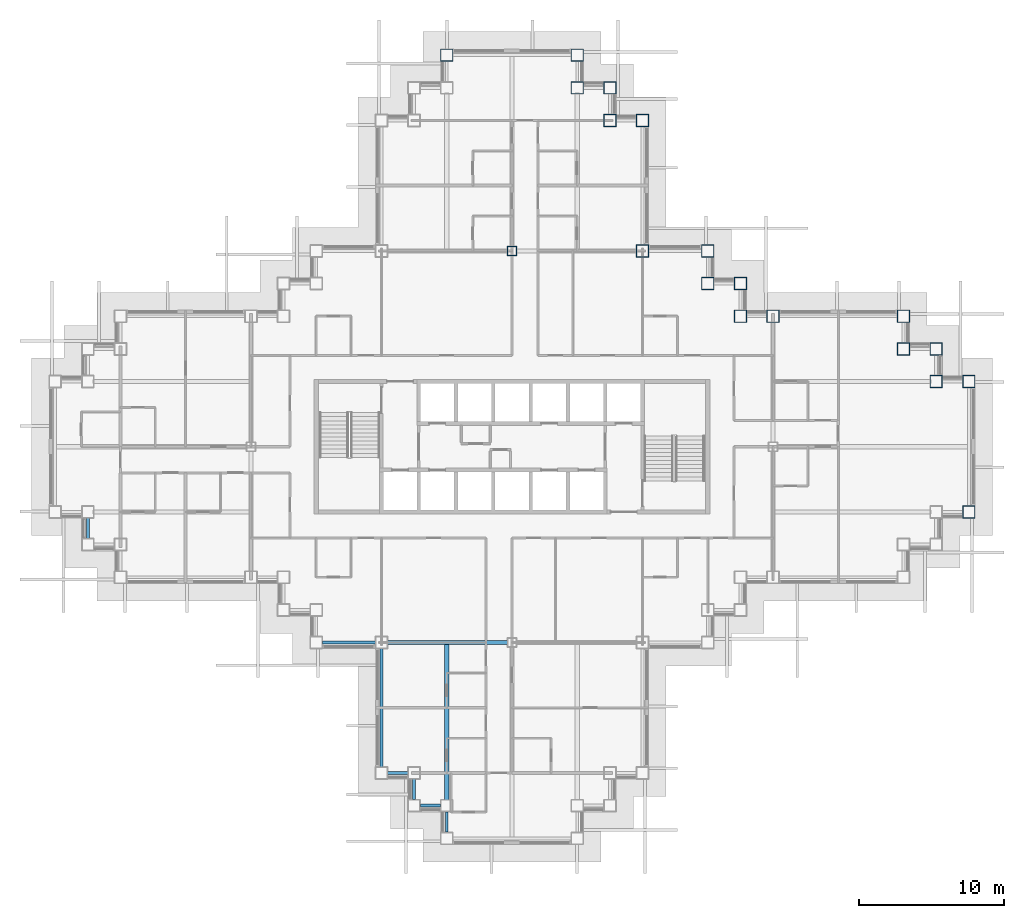
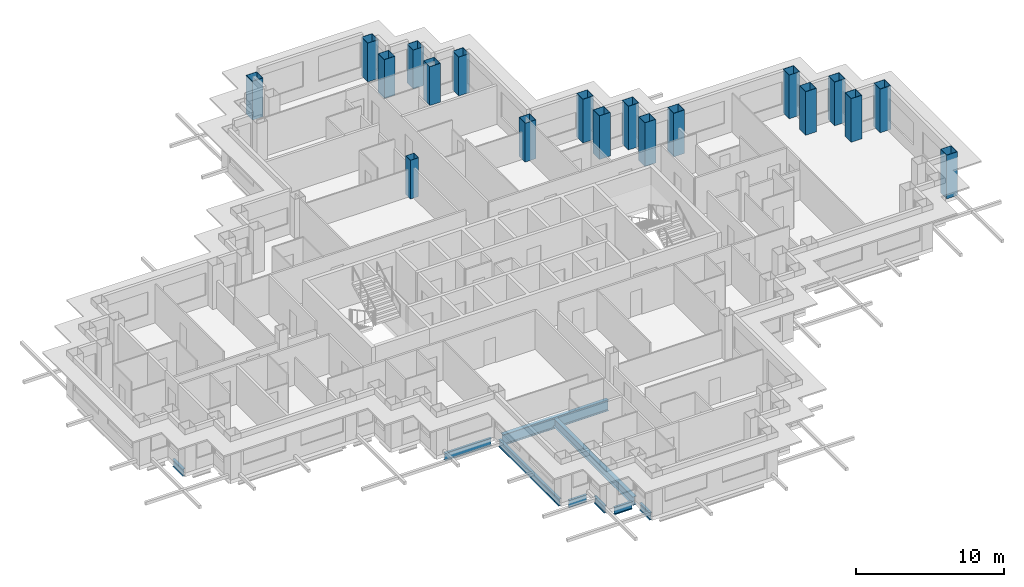
# One storey, part 2 of 17: 19 columns, 9 beams.
"""IFC4 building model written with IfcOpenShell, lengths in metres."""

from ifc_helpers import new_model, si_unit, direction, frame, origin, origin_2d, place, context, subcontext, project, spatial, hollow_rectangle, i_section, extrude, material, material_profile, profile_set, type_object, element, save


model = new_model("IFC4")

# Units and contexts
model_context = context("Model", 3, precision=1e-05, world=origin(), true_north=direction((0.0, 1.0)))
body_context = subcontext(model_context, "Body", "Model", "MODEL_VIEW")
ifc_project = project(units=[si_unit("LENGTHUNIT", "METRE"), si_unit("AREAUNIT", "SQUARE_METRE"), si_unit("VOLUMEUNIT", "CUBIC_METRE"), si_unit("PLANEANGLEUNIT", "RADIAN"), si_unit("MASSUNIT", "GRAM", prefix="KILO")], contexts=[model_context])

# Site, building, storey
site_placement = place(None, origin())
site = spatial("IfcSite", under=ifc_project, at=site_placement, CompositionType="ELEMENT")
building_placement = place(site_placement, origin())
building = spatial("IfcBuilding", under=site, at=building_placement, Name="Caravel Reach Hotel and Residences", CompositionType="ELEMENT")
storey_placement = place(building_placement, frame((0.0, 0.0, 136.800048828125)))
storey = spatial("IfcBuildingStorey", under=building, at=storey_placement, Name="L34", CompositionType="ELEMENT", Elevation=136.800048828125)

# Columns
ifc_material_1 = material(Name="Concrete-filled steel tube Q390B with Concrete C70 infill", Category="concrete")
ifc_material_profile_1 = material_profile(ifc_material_1, hollow_rectangle(XDim=0.64990234375, YDim=0.64990234375, WallThickness=0.02099609375, at=origin_2d()), Name="RHS 650x650x21")
ifc_profile_set_1 = profile_set([ifc_material_profile_1], Name="Concrete-filled steel tube Q390B with Concrete C70 infill")
column_type_1 = type_object("IfcColumnType", Name="CFT 650x650 Q390B C70", PredefinedType="COLUMN", material=ifc_profile_set_1)
column_placement = place(storey_placement, frame((31.5, 40.5, 0.0), z_axis=(0.0, 0.0, 1.0), x_axis=(1.0, 0.0, 0.0)))
element("IfcColumn", 1, at=column_placement, inside=storey, type_object=column_type_1, Name="C17 column", PredefinedType="COLUMN", context=body_context, shape_type="SweptSolid", body=[
    extrude(hollow_rectangle(XDim=0.64990234375, YDim=0.64990234375, WallThickness=0.02099609375, at=origin_2d()), origin(), (0.0, 0.0, 1.0), 3.199951171875),
])
ifc_material_2 = material(Name="Concrete-filled steel tube Q390B with Concrete C70 infill", Category="concrete")
ifc_material_profile_2 = material_profile(ifc_material_2, hollow_rectangle(XDim=0.85009765625, YDim=0.85009765625, WallThickness=0.02587890625, at=origin_2d()), Name="RHS 850x850x26")
ifc_profile_set_2 = profile_set([ifc_material_profile_2], Name="Concrete-filled steel tube Q390B with Concrete C70 infill")
column_type_2 = type_object("IfcColumnType", Name="CFT 850x850 Q390B C70", PredefinedType="COLUMN", material=ifc_profile_set_2)
for number, where, z_axis, x_axis, name in (
    (2, (63.0, 22.5, 0.0), (0.0, 0.0, 1.0), (1.0, 0.0, 0.0), "C13 column"),
    (3, (63.0, 31.5, 0.0), (0.0, 0.0, 1.0), (1.0, 0.0, 0.0), "C13 column"),
    (4, (60.75, 31.5, 0.0), (0.0, 0.0, 1.0), (1.0, 0.0, 0.0), "C13 column"),
    (5, (60.75, 33.75, 0.0), (0.0, 0.0, 1.0), (1.0, 0.0, 0.0), "C13 column"),
    (6, (58.5, 33.75, 0.0), (0.0, 0.0, 1.0), (1.0, 0.0, 0.0), "C13 column"),
    (7, (58.5, 36.0, 0.0), (0.0, 0.0, 1.0), (1.0, 0.0, 0.0), "C13 column"),
    (8, (49.5, 36.0, 0.0), (0.0, 0.0, 1.0), (1.0, 0.0, 0.0), "C13 column"),
    (9, (47.25, 36.0, 0.0), (0.0, 0.0, 1.0), (1.0, 0.0, 0.0), "C13 column"),
    (10, (47.25, 38.25, 0.0), (0.0, 0.0, 1.0), (1.0, 0.0, 0.0), "C13 column"),
    (11, (45.0, 38.25, 0.0), (0.0, 0.0, 1.0), (1.0, 0.0, 0.0), "C13 column"),
    (12, (45.0, 40.5, 0.0), (0.0, 0.0, 1.0), (1.0, 0.0, 0.0), "C13 column"),
):
    element("IfcColumn", number, at=place(storey_placement, frame(where, z_axis=z_axis, x_axis=x_axis)), inside=storey, type_object=column_type_2, Name=name, PredefinedType="COLUMN", context=body_context, shape_type="SweptSolid", body=[
        extrude(hollow_rectangle(XDim=0.85009765625, YDim=0.85009765625, WallThickness=0.02587890625, at=origin_2d()), origin(), (0.0, 0.0, 1.0), 3.599853515625),
    ])
for number, where, z_axis, x_axis, name in (
    (13, (40.5, 40.5, 0.0), (0.0, 0.0, 1.0), (1.0, 0.0, 0.0), "C13 column"),
    (14, (40.5, 49.5, 0.0), (0.0, 0.0, 1.0), (1.0, 0.0, 0.0), "C13 column"),
    (15, (38.25, 49.5, 0.0), (0.0, 0.0, 1.0), (1.0, 0.0, 0.0), "C13 column"),
    (16, (38.25, 51.75, 0.0), (0.0, 0.0, 1.0), (1.0, 0.0, 0.0), "C13 column"),
    (17, (36.0, 51.75, 0.0), (0.0, 0.0, 1.0), (1.0, 0.0, 0.0), "C13 column"),
    (18, (36.0, 54.0, 0.0), (0.0, 0.0, 1.0), (1.0, 0.0, 0.0), "C13 column"),
    (19, (27.0, 54.0, 0.0), (0.0, 0.0, 1.0), (1.0, 0.0, 0.0), "C13 column"),
):
    element("IfcColumn", number, at=place(storey_placement, frame(where, z_axis=z_axis, x_axis=x_axis)), inside=storey, type_object=column_type_2, Name=name, PredefinedType="COLUMN", context=body_context, shape_type="SweptSolid", body=[
        extrude(hollow_rectangle(XDim=0.85009765625, YDim=0.85009765625, WallThickness=0.02587890625, at=origin_2d()), origin(), (0.0, 0.0, 1.0), 3.199951171875),
    ])

# Beams
ifc_material_3 = material(Name="Structural steel Q355B", Category="steel")
ifc_material_profile_3 = material_profile(ifc_material_3, i_section(OverallWidth=0.300048828125, OverallDepth=0.699951171875, WebThickness=0.012939453125, FlangeThickness=0.02392578125, FilletRadius=0.01806640625, at=origin_2d()), Name="HN 700x300x13x24")
ifc_profile_set_3 = profile_set([ifc_material_profile_3], Name="Structural steel Q355B")
beam_type_1 = type_object("IfcBeamType", Name="Beam HN 700x300x13x24", PredefinedType="BEAM", material=ifc_profile_set_3)
beam_1_placement = place(storey_placement, frame((27.0, 13.39990234375, -0.650146484375), z_axis=(0.0, -1.0, 0.0), x_axis=(1.0, 0.0, 0.0)))
element("IfcBeam", 20, at=beam_1_placement, inside=storey, type_object=beam_type_1, Name="B2 HN 700x300x13x24", PredefinedType="BEAM", context=body_context, shape_type="SweptSolid", body=[
    extrude(i_section(OverallWidth=0.300048828125, OverallDepth=0.699951171875, WebThickness=0.012939453125, FlangeThickness=0.02392578125, FilletRadius=0.01806640625, at=origin_2d()), origin(), (0.0, 0.0, 1.0), 10.77490234375),
])
ifc_material_4 = material(Name="Structural steel Q355B", Category="steel")
ifc_material_profile_4 = material_profile(ifc_material_4, i_section(OverallWidth=0.300048828125, OverallDepth=0.89990234375, WebThickness=0.01611328125, FlangeThickness=0.028076171875, FilletRadius=0.01806640625, at=origin_2d()), Name="HN 900x300x16x28")
ifc_profile_set_4 = profile_set([ifc_material_profile_4], Name="Structural steel Q355B")
beam_type_2 = type_object("IfcBeamType", Name="Beam HN 900x300x16x28", PredefinedType="BEAM", material=ifc_profile_set_4)
beam_2_placement = place(storey_placement, frame((22.925048828125, 13.5, -0.75), z_axis=(1.0, 0.0, 0.0), x_axis=(0.0, 1.0, 0.0)))
element("IfcBeam", 21, at=beam_2_placement, inside=storey, type_object=beam_type_2, Name="B3 HN 900x300x16x28", PredefinedType="BEAM", context=body_context, shape_type="SweptSolid", body=[
    extrude(i_section(OverallWidth=0.300048828125, OverallDepth=0.89990234375, WebThickness=0.01611328125, FlangeThickness=0.028076171875, FilletRadius=0.01806640625, at=origin_2d()), origin(), (0.0, 0.0, 1.0), 8.25),
])
ifc_material_5 = material(Name="Structural steel Q355B", Category="steel")
ifc_material_profile_5 = material_profile(ifc_material_5, i_section(OverallWidth=0.199951171875, OverallDepth=0.60009765625, WebThickness=0.010986328125, FlangeThickness=0.01708984375, FilletRadius=0.012939453125, at=origin_2d()), Name="HN 600x200x11x17")
ifc_profile_set_5 = profile_set([ifc_material_profile_5], Name="Structural steel Q355B")
beam_type_3 = type_object("IfcBeamType", Name="Spandrel beam HN 600x200x11x17", PredefinedType="SPANDREL", material=ifc_profile_set_5)
for number, where, z_axis, x_axis, name in (
    (22, (22.925048828125, 4.5, -0.60009765625), (1.0, 0.0, 0.0), (0.0, 1.0, 0.0), "SP1 HN 600x200x11x17"),
    (23, (24.75, 4.074951171875, -0.60009765625), (0.0, -1.0, 0.0), (1.0, 0.0, 0.0), "SP1 HN 600x200x11x17"),
    (24, (25.175048828125, 2.25, -0.60009765625), (1.0, 0.0, 0.0), (0.0, 1.0, 0.0), "SP1 HN 600x200x11x17"),
    (25, (27.0, 1.824951171875, -0.60009765625), (0.0, -1.0, 0.0), (1.0, 0.0, 0.0), "SP1 HN 600x200x11x17"),
    (26, (2.25, 22.074951171875, -0.60009765625), (0.0, -1.0, 0.0), (1.0, 0.0, 0.0), "SP1 HN 600x200x11x17"),
):
    element("IfcBeam", number, at=place(storey_placement, frame(where, z_axis=z_axis, x_axis=x_axis)), inside=storey, type_object=beam_type_3, Name=name, PredefinedType="SPANDREL", context=body_context, shape_type="SweptSolid", body=[
        extrude(i_section(OverallWidth=0.199951171875, OverallDepth=0.60009765625, WebThickness=0.010986328125, FlangeThickness=0.01708984375, FilletRadius=0.012939453125, at=origin_2d()), origin(), (0.0, 0.0, 1.0), 1.39990234375),
    ])
beam_3_placement = place(storey_placement, frame((18.425048828125, 13.5, -0.60009765625), z_axis=(1.0, 0.0, 0.0), x_axis=(0.0, 1.0, 0.0)))
element("IfcBeam", 27, at=beam_3_placement, inside=storey, type_object=beam_type_3, Name="SP1 HN 600x200x11x17", PredefinedType="SPANDREL", context=body_context, shape_type="SweptSolid", body=[
    extrude(i_section(OverallWidth=0.199951171875, OverallDepth=0.60009765625, WebThickness=0.010986328125, FlangeThickness=0.01708984375, FilletRadius=0.012939453125, at=origin_2d()), origin(), (0.0, 0.0, 1.0), 3.64990234375),
])
beam_4_placement = place(storey_placement, frame((22.5, 13.074951171875, -0.60009765625), z_axis=(0.0, -1.0, 0.0), x_axis=(1.0, 0.0, 0.0)))
element("IfcBeam", 28, at=beam_4_placement, inside=storey, type_object=beam_type_3, Name="SP1 HN 600x200x11x17", PredefinedType="SPANDREL", context=body_context, shape_type="SweptSolid", body=[
    extrude(i_section(OverallWidth=0.199951171875, OverallDepth=0.60009765625, WebThickness=0.010986328125, FlangeThickness=0.01708984375, FilletRadius=0.012939453125, at=origin_2d()), origin(), (0.0, 0.0, 1.0), 8.14990234375),
])

save(model, "model.ifc")
